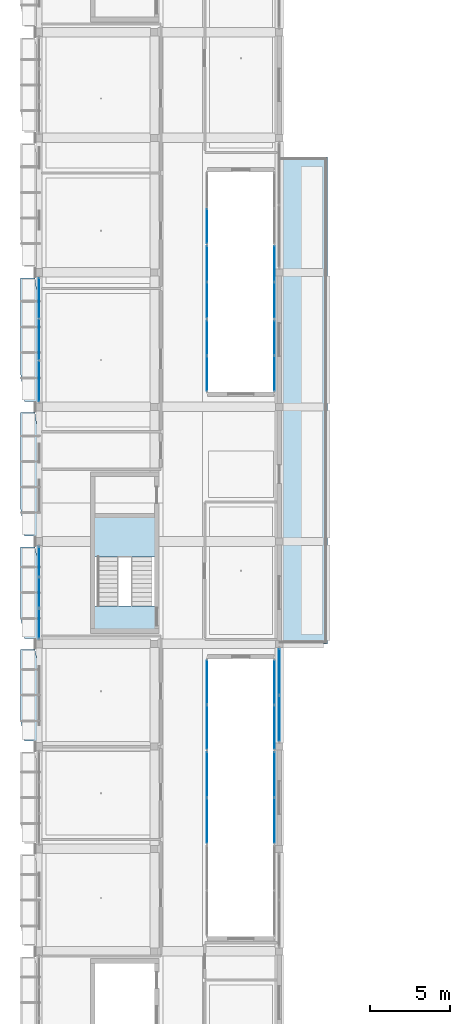
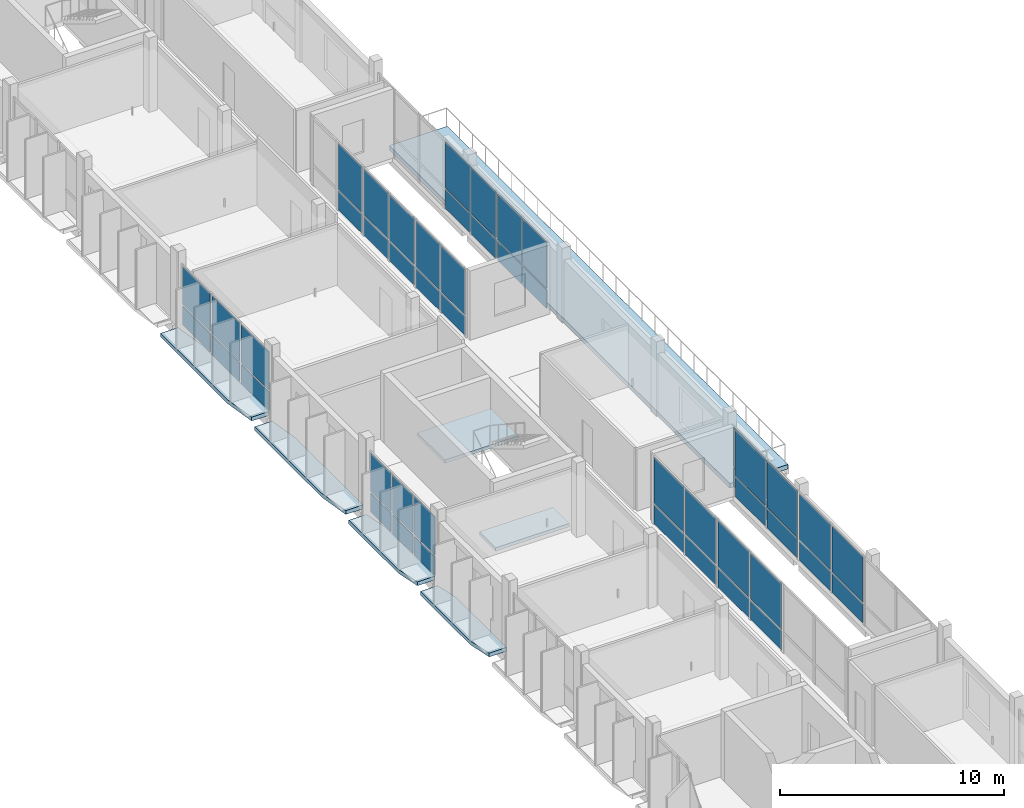
# One storey, part 17 of 48: 50 plates, 7 slabs, 13 elements without a shape of their own.
"""IFC4 building model written with IfcOpenShell, lengths in metres."""

from ifc_helpers import new_model, si_unit, derived_unit, direction, frame, origin, origin_2d, place, context, subcontext, project, spatial, polyline, rectangle, outline, extrude, material, layer, layer_set, type_object, element, aggregate, save


model = new_model("IFC4")

# Units and contexts
model_context = context("Model", 3, precision=1e-05, world=origin(), true_north=direction((0.0, 1.0)))
body_context = subcontext(model_context, "Body", "Model", "MODEL_VIEW")
ifc_project = project(units=[si_unit("LENGTHUNIT", "METRE"), si_unit("AREAUNIT", "SQUARE_METRE"), si_unit("VOLUMEUNIT", "CUBIC_METRE"), si_unit("PLANEANGLEUNIT", "RADIAN"), si_unit("MASSUNIT", "GRAM", prefix="KILO"), derived_unit("THERMALTRANSMITTANCEUNIT", [(si_unit("POWERUNIT", "WATT"), 1), (si_unit("LENGTHUNIT", "METRE"), -2), (si_unit("THERMODYNAMICTEMPERATUREUNIT", "KELVIN"), -1)])], contexts=[model_context])

# Site, building, storey
site_placement = place(None, origin())
site = spatial("IfcSite", under=ifc_project, at=site_placement, CompositionType="ELEMENT")
building_placement = place(site_placement, origin())
building = spatial("IfcBuilding", under=site, at=building_placement, Name="Braskholm Square Health Centre", CompositionType="ELEMENT")
storey_placement = place(building_placement, frame((0.0, 0.0, 17.550048828125)))
storey = spatial("IfcBuildingStorey", under=building, at=storey_placement, Name="L05", CompositionType="ELEMENT", Elevation=17.550048828125)

# Curtain wall, plates
ifc_material_1 = material(Name="Low-E triple insulating glass (VLT 0.64)", Category="glass")
curtain_wall_type_1 = type_object("IfcCurtainWallType", Name="UnitisedCurtainWall6200x3650", PredefinedType="NOTDEFINED", material=ifc_material_1)
curtain_wall_1_placement = place(storey_placement, origin())
curtain_wall_1 = element("IfcCurtainWall", 1, at=curtain_wall_1_placement, inside=storey, type_object=curtain_wall_type_1, Name="West Outer unitised curtain wall CW-L05-0033", PredefinedType="NOTDEFINED")
ifc_material_2 = material(Name="Architectural bronze anodised aluminium", Category="aluminium")
plate_type_1 = type_object("IfcPlateType", Name="CurtainPanelSpandrel1850x1020", PredefinedType="CURTAIN_PANEL", material=ifc_material_2)
plate_1_placement = place(storey_placement, frame((4.199951171875, 54.1533203125, 0.050048828125), z_axis=(0.0, 0.0, 1.0), x_axis=(0.0, -1.0, 0.0)))
plate_1 = element("IfcPlate", 2, at=plate_1_placement, type_object=plate_type_1, Name="CW-L05-0033 spandrel panel 1", PredefinedType="CURTAIN_PANEL", context=body_context, shape_type="SweptSolid", body=[
    extrude(rectangle(XDim=1.836181640625, YDim=0.035888671875, at=origin_2d()), origin(), (0.0, 0.0, 1.0), 1.02001953125),
])
plate_2_placement = place(storey_placement, frame((4.199951171875, 52.199951171875, 0.050048828125), z_axis=(0.0, 0.0, 1.0), x_axis=(0.0, -1.0, 0.0)))
plate_2 = element("IfcPlate", 3, at=plate_2_placement, type_object=plate_type_1, Name="CW-L05-0033 spandrel panel 2", PredefinedType="CURTAIN_PANEL", context=body_context, shape_type="SweptSolid", body=[
    extrude(rectangle(XDim=1.836181640625, YDim=0.035888671875, at=origin_2d()), origin(), (0.0, 0.0, 1.0), 1.02001953125),
])
plate_3_placement = place(storey_placement, frame((4.199951171875, 50.24658203125, 0.050048828125), z_axis=(0.0, 0.0, 1.0), x_axis=(0.0, -1.0, 0.0)))
plate_3 = element("IfcPlate", 4, at=plate_3_placement, type_object=plate_type_1, Name="CW-L05-0033 spandrel panel 3", PredefinedType="CURTAIN_PANEL", context=body_context, shape_type="SweptSolid", body=[
    extrude(rectangle(XDim=1.836181640625, YDim=0.035888671875, at=origin_2d()), origin(), (0.0, 0.0, 1.0), 1.02001953125),
])

curtain_wall_type_2 = type_object("IfcCurtainWallType", Name="UnitisedCurtainWall4800x3800", PredefinedType="NOTDEFINED", material=ifc_material_1)
curtain_wall_2_placement = place(storey_placement, origin())
curtain_wall_2 = element("IfcCurtainWall", 5, at=curtain_wall_2_placement, inside=storey, type_object=curtain_wall_type_2, Name="WC2 Court W unitised curtain wall CW-L05-0309", PredefinedType="NOTDEFINED")
plate_type_2 = type_object("IfcPlateType", Name="CurtainPanelSpandrel2150x1020", PredefinedType="CURTAIN_PANEL", material=ifc_material_2)
plate_4_placement = place(storey_placement, frame((14.699951171875, 65.884033203125, 0.050048828125), z_axis=(0.0, 0.0, 1.0), x_axis=(0.0, 1.0, 0.0)))
plate_4 = element("IfcPlate", 6, at=plate_4_placement, type_object=plate_type_2, Name="CW-L05-0309 spandrel panel 1", PredefinedType="CURTAIN_PANEL", context=body_context, shape_type="SweptSolid", body=[
    extrude(rectangle(XDim=2.125244140625, YDim=0.035888671875, at=origin_2d()), origin(), (0.0, 0.0, 1.0), 1.02001953125),
])
plate_5_placement = place(storey_placement, frame((14.699951171875, 68.117919921875, 0.050048828125), z_axis=(0.0, 0.0, 1.0), x_axis=(0.0, 1.0, 0.0)))
plate_5 = element("IfcPlate", 7, at=plate_5_placement, type_object=plate_type_2, Name="CW-L05-0309 spandrel panel 2", PredefinedType="CURTAIN_PANEL", context=body_context, shape_type="SweptSolid", body=[
    extrude(rectangle(XDim=2.125244140625, YDim=0.035888671875, at=origin_2d()), origin(), (0.0, 0.0, 1.0), 1.02001953125),
])

curtain_wall_3_placement = place(storey_placement, origin())
curtain_wall_3 = element("IfcCurtainWall", 8, at=curtain_wall_3_placement, inside=storey, type_object=curtain_wall_type_2, Name="WC2 Court E unitised curtain wall CW-L05-0310", PredefinedType="NOTDEFINED")
plate_6_placement = place(storey_placement, frame((18.89990234375, 68.117919921875, 0.050048828125), z_axis=(0.0, 0.0, 1.0), x_axis=(0.0, -1.0, 0.0)))
plate_6 = element("IfcPlate", 9, at=plate_6_placement, type_object=plate_type_2, Name="CW-L05-0310 spandrel panel 1", PredefinedType="CURTAIN_PANEL", context=body_context, shape_type="SweptSolid", body=[
    extrude(rectangle(XDim=2.125244140625, YDim=0.035888671875, at=origin_2d()), origin(), (0.0, 0.0, 1.0), 1.02001953125),
])
plate_7_placement = place(storey_placement, frame((18.89990234375, 65.884033203125, 0.050048828125), z_axis=(0.0, 0.0, 1.0), x_axis=(0.0, -1.0, 0.0)))
plate_7 = element("IfcPlate", 10, at=plate_7_placement, type_object=plate_type_2, Name="CW-L05-0310 spandrel panel 2", PredefinedType="CURTAIN_PANEL", context=body_context, shape_type="SweptSolid", body=[
    extrude(rectangle(XDim=2.125244140625, YDim=0.035888671875, at=origin_2d()), origin(), (0.0, 0.0, 1.0), 1.02001953125),
])

curtain_wall_4_placement = place(storey_placement, origin())
curtain_wall_4 = element("IfcCurtainWall", 11, at=curtain_wall_4_placement, inside=storey, type_object=curtain_wall_type_2, Name="WC2 Court W unitised curtain wall CW-L05-0311", PredefinedType="NOTDEFINED")
plate_8_placement = place(storey_placement, frame((14.699951171875, 70.449951171875, 0.050048828125), z_axis=(0.0, 0.0, 1.0), x_axis=(0.0, 1.0, 0.0)))
plate_8 = element("IfcPlate", 12, at=plate_8_placement, type_object=plate_type_2, Name="CW-L05-0311 spandrel panel 1", PredefinedType="CURTAIN_PANEL", context=body_context, shape_type="SweptSolid", body=[
    extrude(rectangle(XDim=2.188232421875, YDim=0.035888671875, at=origin_2d()), origin(), (0.0, 0.0, 1.0), 1.02001953125),
])
plate_9_placement = place(storey_placement, frame((14.699951171875, 72.75, 0.050048828125), z_axis=(0.0, 0.0, 1.0), x_axis=(0.0, 1.0, 0.0)))
plate_9 = element("IfcPlate", 13, at=plate_9_placement, type_object=plate_type_2, Name="CW-L05-0311 spandrel panel 2", PredefinedType="CURTAIN_PANEL", context=body_context, shape_type="SweptSolid", body=[
    extrude(rectangle(XDim=2.188232421875, YDim=0.035888671875, at=origin_2d()), origin(), (0.0, 0.0, 1.0), 1.02001953125),
])

curtain_wall_5_placement = place(storey_placement, origin())
curtain_wall_5 = element("IfcCurtainWall", 14, at=curtain_wall_5_placement, inside=storey, type_object=curtain_wall_type_2, Name="WC2 Court E unitised curtain wall CW-L05-0312", PredefinedType="NOTDEFINED")
plate_10_placement = place(storey_placement, frame((18.89990234375, 72.75, 0.050048828125), z_axis=(0.0, 0.0, 1.0), x_axis=(0.0, -1.0, 0.0)))
plate_10 = element("IfcPlate", 15, at=plate_10_placement, type_object=plate_type_2, Name="CW-L05-0312 spandrel panel 1", PredefinedType="CURTAIN_PANEL", context=body_context, shape_type="SweptSolid", body=[
    extrude(rectangle(XDim=2.188232421875, YDim=0.035888671875, at=origin_2d()), origin(), (0.0, 0.0, 1.0), 1.02001953125),
])
plate_11_placement = place(storey_placement, frame((18.89990234375, 70.449951171875, 0.050048828125), z_axis=(0.0, 0.0, 1.0), x_axis=(0.0, -1.0, 0.0)))
plate_11 = element("IfcPlate", 16, at=plate_11_placement, type_object=plate_type_2, Name="CW-L05-0312 spandrel panel 2", PredefinedType="CURTAIN_PANEL", context=body_context, shape_type="SweptSolid", body=[
    extrude(rectangle(XDim=2.188232421875, YDim=0.035888671875, at=origin_2d()), origin(), (0.0, 0.0, 1.0), 1.02001953125),
])

# Curtain wall, plate
curtain_wall_6_placement = place(storey_placement, origin())
curtain_wall_6 = element("IfcCurtainWall", 17, at=curtain_wall_6_placement, inside=storey, type_object=curtain_wall_type_2, Name="WC2 Court W unitised curtain wall CW-L05-0313", PredefinedType="NOTDEFINED")
plate_12_placement = place(storey_placement, frame((14.699951171875, 75.08203125, 0.050048828125), z_axis=(0.0, 0.0, 1.0), x_axis=(0.0, 1.0, 0.0)))
plate_12 = element("IfcPlate", 18, at=plate_12_placement, type_object=plate_type_2, Name="CW-L05-0313 spandrel panel 1", PredefinedType="CURTAIN_PANEL", context=body_context, shape_type="SweptSolid", body=[
    extrude(rectangle(XDim=2.125244140625, YDim=0.035888671875, at=origin_2d()), origin(), (0.0, 0.0, 1.0), 1.02001953125),
])

# Curtain wall, plates
curtain_wall_7_placement = place(storey_placement, origin())
curtain_wall_7 = element("IfcCurtainWall", 19, at=curtain_wall_7_placement, inside=storey, type_object=curtain_wall_type_1, Name="West Outer unitised curtain wall CW-L05-0034", PredefinedType="NOTDEFINED")
plate_type_3 = type_object("IfcPlateType", Name="CurtainPanelSpandrel2750x1020", PredefinedType="CURTAIN_PANEL", material=ifc_material_2)
plate_13_placement = place(storey_placement, frame((4.199951171875, 70.6201171875, 0.050048828125), z_axis=(0.0, 0.0, 1.0), x_axis=(0.0, -1.0, 0.0)))
plate_13 = element("IfcPlate", 20, at=plate_13_placement, type_object=plate_type_3, Name="CW-L05-0034 spandrel panel 1", PredefinedType="CURTAIN_PANEL", context=body_context, shape_type="SweptSolid", body=[
    extrude(rectangle(XDim=2.462890625, YDim=0.035888671875, at=origin_2d()), origin(), (0.0, 0.0, 1.0), 1.02001953125),
])
plate_14_placement = place(storey_placement, frame((4.199951171875, 68.0, 0.050048828125), z_axis=(0.0, 0.0, 1.0), x_axis=(0.0, -1.0, 0.0)))
plate_14 = element("IfcPlate", 21, at=plate_14_placement, type_object=plate_type_3, Name="CW-L05-0034 spandrel panel 2", PredefinedType="CURTAIN_PANEL", context=body_context, shape_type="SweptSolid", body=[
    extrude(rectangle(XDim=2.462890625, YDim=0.035888671875, at=origin_2d()), origin(), (0.0, 0.0, 1.0), 1.02001953125),
])
plate_15_placement = place(storey_placement, frame((4.199951171875, 65.3798828125, 0.050048828125), z_axis=(0.0, 0.0, 1.0), x_axis=(0.0, -1.0, 0.0)))
plate_15 = element("IfcPlate", 22, at=plate_15_placement, type_object=plate_type_3, Name="CW-L05-0034 spandrel panel 3", PredefinedType="CURTAIN_PANEL", context=body_context, shape_type="SweptSolid", body=[
    extrude(rectangle(XDim=2.462890625, YDim=0.035888671875, at=origin_2d()), origin(), (0.0, 0.0, 1.0), 1.02001953125),
])

curtain_wall_8_placement = place(storey_placement, origin())
curtain_wall_8 = element("IfcCurtainWall", 23, at=curtain_wall_8_placement, inside=storey, type_object=curtain_wall_type_1, Name="West Valley unitised curtain wall CW-L05-0105", PredefinedType="NOTDEFINED")
plate_16_placement = place(storey_placement, frame((19.199951171875, 44.337890625, 0.050048828125), z_axis=(0.0, 0.0, 1.0), x_axis=(0.0, 1.0, 0.0)))
plate_16 = element("IfcPlate", 24, at=plate_16_placement, type_object=plate_type_3, Name="CW-L05-0105 spandrel panel 1", PredefinedType="CURTAIN_PANEL", context=body_context, shape_type="SweptSolid", body=[
    extrude(rectangle(XDim=2.782470703125, YDim=0.035888671875, at=origin_2d()), origin(), (0.0, 0.0, 1.0), 1.02001953125),
])
plate_17_placement = place(storey_placement, frame((19.199951171875, 47.26220703125, 0.050048828125), z_axis=(0.0, 0.0, 1.0), x_axis=(0.0, 1.0, 0.0)))
plate_17 = element("IfcPlate", 25, at=plate_17_placement, type_object=plate_type_3, Name="CW-L05-0105 spandrel panel 2", PredefinedType="CURTAIN_PANEL", context=body_context, shape_type="SweptSolid", body=[
    extrude(rectangle(XDim=2.782470703125, YDim=0.035888671875, at=origin_2d()), origin(), (0.0, 0.0, 1.0), 1.02001953125),
])

curtain_wall_type_3 = type_object("IfcCurtainWallType", Name="UnitisedCurtainWall6200x3800", PredefinedType="NOTDEFINED", material=ifc_material_1)
curtain_wall_9_placement = place(storey_placement, origin())
curtain_wall_9 = element("IfcCurtainWall", 26, at=curtain_wall_9_placement, inside=storey, type_object=curtain_wall_type_3, Name="WC1 Court W unitised curtain wall CW-L05-0275", PredefinedType="NOTDEFINED")
plate_18_placement = place(storey_placement, frame((14.699951171875, 37.95361328125, 0.050048828125), z_axis=(0.0, 0.0, 1.0), x_axis=(0.0, 1.0, 0.0)))
plate_18 = element("IfcPlate", 27, at=plate_18_placement, type_object=plate_type_3, Name="CW-L05-0275 spandrel panel 1", PredefinedType="CURTAIN_PANEL", context=body_context, shape_type="SweptSolid", body=[
    extrude(rectangle(XDim=2.752197265625, YDim=0.035888671875, at=origin_2d()), origin(), (0.0, 0.0, 1.0), 1.02001953125),
])
plate_19_placement = place(storey_placement, frame((14.699951171875, 40.846435546875, 0.050048828125), z_axis=(0.0, 0.0, 1.0), x_axis=(0.0, 1.0, 0.0)))
plate_19 = element("IfcPlate", 28, at=plate_19_placement, type_object=plate_type_3, Name="CW-L05-0275 spandrel panel 2", PredefinedType="CURTAIN_PANEL", context=body_context, shape_type="SweptSolid", body=[
    extrude(rectangle(XDim=2.752197265625, YDim=0.035888671875, at=origin_2d()), origin(), (0.0, 0.0, 1.0), 1.02001953125),
])

curtain_wall_10_placement = place(storey_placement, origin())
curtain_wall_10 = element("IfcCurtainWall", 29, at=curtain_wall_10_placement, inside=storey, type_object=curtain_wall_type_3, Name="WC1 Court E unitised curtain wall CW-L05-0276", PredefinedType="NOTDEFINED")
plate_20_placement = place(storey_placement, frame((18.89990234375, 40.846435546875, 0.050048828125), z_axis=(0.0, 0.0, 1.0), x_axis=(0.0, -1.0, 0.0)))
plate_20 = element("IfcPlate", 30, at=plate_20_placement, type_object=plate_type_3, Name="CW-L05-0276 spandrel panel 1", PredefinedType="CURTAIN_PANEL", context=body_context, shape_type="SweptSolid", body=[
    extrude(rectangle(XDim=2.752197265625, YDim=0.035888671875, at=origin_2d()), origin(), (0.0, 0.0, 1.0), 1.02001953125),
])
plate_21_placement = place(storey_placement, frame((18.89990234375, 37.95361328125, 0.050048828125), z_axis=(0.0, 0.0, 1.0), x_axis=(0.0, -1.0, 0.0)))
plate_21 = element("IfcPlate", 31, at=plate_21_placement, type_object=plate_type_3, Name="CW-L05-0276 spandrel panel 2", PredefinedType="CURTAIN_PANEL", context=body_context, shape_type="SweptSolid", body=[
    extrude(rectangle(XDim=2.752197265625, YDim=0.035888671875, at=origin_2d()), origin(), (0.0, 0.0, 1.0), 1.02001953125),
])

curtain_wall_type_4 = type_object("IfcCurtainWallType", Name="UnitisedCurtainWall5400x3800", PredefinedType="NOTDEFINED", material=ifc_material_1)
curtain_wall_11_placement = place(storey_placement, origin())
curtain_wall_11 = element("IfcCurtainWall", 32, at=curtain_wall_11_placement, inside=storey, type_object=curtain_wall_type_4, Name="WC1 Court W unitised curtain wall CW-L05-0277", PredefinedType="NOTDEFINED")
plate_22_placement = place(storey_placement, frame((14.699951171875, 43.78564453125, 0.050048828125), z_axis=(0.0, 0.0, 1.0), x_axis=(0.0, 1.0, 0.0)))
plate_22 = element("IfcPlate", 33, at=plate_22_placement, type_object=plate_type_3, Name="CW-L05-0277 spandrel panel 1", PredefinedType="CURTAIN_PANEL", context=body_context, shape_type="SweptSolid", body=[
    extrude(rectangle(XDim=2.689208984375, YDim=0.035888671875, at=origin_2d()), origin(), (0.0, 0.0, 1.0), 1.02001953125),
])
plate_23_placement = place(storey_placement, frame((14.699951171875, 46.6123046875, 0.050048828125), z_axis=(0.0, 0.0, 1.0), x_axis=(0.0, 1.0, 0.0)))
plate_23 = element("IfcPlate", 34, at=plate_23_placement, type_object=plate_type_3, Name="CW-L05-0277 spandrel panel 2", PredefinedType="CURTAIN_PANEL", context=body_context, shape_type="SweptSolid", body=[
    extrude(rectangle(XDim=2.689208984375, YDim=0.035888671875, at=origin_2d()), origin(), (0.0, 0.0, 1.0), 1.02001953125),
])

curtain_wall_12_placement = place(storey_placement, origin())
curtain_wall_12 = element("IfcCurtainWall", 35, at=curtain_wall_12_placement, inside=storey, type_object=curtain_wall_type_4, Name="WC1 Court E unitised curtain wall CW-L05-0278", PredefinedType="NOTDEFINED")
plate_24_placement = place(storey_placement, frame((18.89990234375, 46.6123046875, 0.050048828125), z_axis=(0.0, 0.0, 1.0), x_axis=(0.0, -1.0, 0.0)))
plate_24 = element("IfcPlate", 36, at=plate_24_placement, type_object=plate_type_3, Name="CW-L05-0278 spandrel panel 1", PredefinedType="CURTAIN_PANEL", context=body_context, shape_type="SweptSolid", body=[
    extrude(rectangle(XDim=2.689208984375, YDim=0.035888671875, at=origin_2d()), origin(), (0.0, 0.0, 1.0), 1.02001953125),
])
plate_25_placement = place(storey_placement, frame((18.89990234375, 43.78564453125, 0.050048828125), z_axis=(0.0, 0.0, 1.0), x_axis=(0.0, -1.0, 0.0)))
plate_25 = element("IfcPlate", 37, at=plate_25_placement, type_object=plate_type_3, Name="CW-L05-0278 spandrel panel 2", PredefinedType="CURTAIN_PANEL", context=body_context, shape_type="SweptSolid", body=[
    extrude(rectangle(XDim=2.689208984375, YDim=0.035888671875, at=origin_2d()), origin(), (0.0, 0.0, 1.0), 1.02001953125),
])

# Plate
plate_type_4 = type_object("IfcPlateType", Name="CurtainPanelVision1850x2120", PredefinedType="CURTAIN_PANEL", material=ifc_material_1)
plate_26_placement = place(storey_placement, frame((4.199951171875, 54.1533203125, 1.169921875), z_axis=(0.0, 0.0, 1.0), x_axis=(0.0, -1.0, 0.0)))
plate_26 = element("IfcPlate", 38, at=plate_26_placement, type_object=plate_type_4, Name="CW-L05-0033 vision glass panel 1", PredefinedType="CURTAIN_PANEL", context=body_context, shape_type="SweptSolid", body=[
    extrude(rectangle(XDim=1.836181640625, YDim=0.035888671875, at=origin_2d()), origin(), (0.0, 0.0, 1.0), 2.070068359375),
])

plate_27_placement = place(storey_placement, frame((4.199951171875, 52.199951171875, 1.169921875), z_axis=(0.0, 0.0, 1.0), x_axis=(0.0, -1.0, 0.0)))
plate_27 = element("IfcPlate", 39, at=plate_27_placement, type_object=plate_type_4, Name="CW-L05-0033 vision glass panel 2", PredefinedType="CURTAIN_PANEL", context=body_context, shape_type="SweptSolid", body=[
    extrude(rectangle(XDim=1.836181640625, YDim=0.035888671875, at=origin_2d()), origin(), (0.0, 0.0, 1.0), 2.070068359375),
])

plate_28_placement = place(storey_placement, frame((4.199951171875, 50.24658203125, 1.169921875), z_axis=(0.0, 0.0, 1.0), x_axis=(0.0, -1.0, 0.0)))
plate_28 = element("IfcPlate", 40, at=plate_28_placement, type_object=plate_type_4, Name="CW-L05-0033 vision glass panel 3", PredefinedType="CURTAIN_PANEL", context=body_context, shape_type="SweptSolid", body=[
    extrude(rectangle(XDim=1.836181640625, YDim=0.035888671875, at=origin_2d()), origin(), (0.0, 0.0, 1.0), 2.070068359375),
])

aggregate(curtain_wall_1, [plate_1, plate_26, plate_2, plate_27, plate_3, plate_28])

plate_type_5 = type_object("IfcPlateType", Name="CurtainPanelVision2150x2520", PredefinedType="CURTAIN_PANEL", material=ifc_material_1)
plate_29_placement = place(storey_placement, frame((14.699951171875, 65.884033203125, 1.169921875), z_axis=(0.0, 0.0, 1.0), x_axis=(0.0, 1.0, 0.0)))
plate_29 = element("IfcPlate", 41, at=plate_29_placement, type_object=plate_type_5, Name="CW-L05-0309 vision glass panel 1", PredefinedType="CURTAIN_PANEL", context=body_context, shape_type="SweptSolid", body=[
    extrude(rectangle(XDim=2.125244140625, YDim=0.035888671875, at=origin_2d()), origin(), (0.0, 0.0, 1.0), 2.489990234375),
])

plate_30_placement = place(storey_placement, frame((14.699951171875, 68.117919921875, 1.169921875), z_axis=(0.0, 0.0, 1.0), x_axis=(0.0, 1.0, 0.0)))
plate_30 = element("IfcPlate", 42, at=plate_30_placement, type_object=plate_type_5, Name="CW-L05-0309 vision glass panel 2", PredefinedType="CURTAIN_PANEL", context=body_context, shape_type="SweptSolid", body=[
    extrude(rectangle(XDim=2.125244140625, YDim=0.035888671875, at=origin_2d()), origin(), (0.0, 0.0, 1.0), 2.489990234375),
])

aggregate(curtain_wall_2, [plate_4, plate_29, plate_5, plate_30])

plate_31_placement = place(storey_placement, frame((18.89990234375, 68.117919921875, 1.169921875), z_axis=(0.0, 0.0, 1.0), x_axis=(0.0, -1.0, 0.0)))
plate_31 = element("IfcPlate", 43, at=plate_31_placement, type_object=plate_type_5, Name="CW-L05-0310 vision glass panel 1", PredefinedType="CURTAIN_PANEL", context=body_context, shape_type="SweptSolid", body=[
    extrude(rectangle(XDim=2.125244140625, YDim=0.035888671875, at=origin_2d()), origin(), (0.0, 0.0, 1.0), 2.489990234375),
])

plate_32_placement = place(storey_placement, frame((18.89990234375, 65.884033203125, 1.169921875), z_axis=(0.0, 0.0, 1.0), x_axis=(0.0, -1.0, 0.0)))
plate_32 = element("IfcPlate", 44, at=plate_32_placement, type_object=plate_type_5, Name="CW-L05-0310 vision glass panel 2", PredefinedType="CURTAIN_PANEL", context=body_context, shape_type="SweptSolid", body=[
    extrude(rectangle(XDim=2.125244140625, YDim=0.035888671875, at=origin_2d()), origin(), (0.0, 0.0, 1.0), 2.489990234375),
])

aggregate(curtain_wall_3, [plate_6, plate_31, plate_7, plate_32])

plate_33_placement = place(storey_placement, frame((14.699951171875, 70.449951171875, 1.169921875), z_axis=(0.0, 0.0, 1.0), x_axis=(0.0, 1.0, 0.0)))
plate_33 = element("IfcPlate", 45, at=plate_33_placement, type_object=plate_type_5, Name="CW-L05-0311 vision glass panel 1", PredefinedType="CURTAIN_PANEL", context=body_context, shape_type="SweptSolid", body=[
    extrude(rectangle(XDim=2.188232421875, YDim=0.035888671875, at=origin_2d()), origin(), (0.0, 0.0, 1.0), 2.489990234375),
])

plate_34_placement = place(storey_placement, frame((14.699951171875, 72.75, 1.169921875), z_axis=(0.0, 0.0, 1.0), x_axis=(0.0, 1.0, 0.0)))
plate_34 = element("IfcPlate", 46, at=plate_34_placement, type_object=plate_type_5, Name="CW-L05-0311 vision glass panel 2", PredefinedType="CURTAIN_PANEL", context=body_context, shape_type="SweptSolid", body=[
    extrude(rectangle(XDim=2.188232421875, YDim=0.035888671875, at=origin_2d()), origin(), (0.0, 0.0, 1.0), 2.489990234375),
])

aggregate(curtain_wall_4, [plate_8, plate_33, plate_9, plate_34])

plate_35_placement = place(storey_placement, frame((18.89990234375, 72.75, 1.169921875), z_axis=(0.0, 0.0, 1.0), x_axis=(0.0, -1.0, 0.0)))
plate_35 = element("IfcPlate", 47, at=plate_35_placement, type_object=plate_type_5, Name="CW-L05-0312 vision glass panel 1", PredefinedType="CURTAIN_PANEL", context=body_context, shape_type="SweptSolid", body=[
    extrude(rectangle(XDim=2.188232421875, YDim=0.035888671875, at=origin_2d()), origin(), (0.0, 0.0, 1.0), 2.489990234375),
])

plate_36_placement = place(storey_placement, frame((18.89990234375, 70.449951171875, 1.169921875), z_axis=(0.0, 0.0, 1.0), x_axis=(0.0, -1.0, 0.0)))
plate_36 = element("IfcPlate", 48, at=plate_36_placement, type_object=plate_type_5, Name="CW-L05-0312 vision glass panel 2", PredefinedType="CURTAIN_PANEL", context=body_context, shape_type="SweptSolid", body=[
    extrude(rectangle(XDim=2.188232421875, YDim=0.035888671875, at=origin_2d()), origin(), (0.0, 0.0, 1.0), 2.489990234375),
])

aggregate(curtain_wall_5, [plate_10, plate_35, plate_11, plate_36])

plate_37_placement = place(storey_placement, frame((14.699951171875, 75.08203125, 1.169921875), z_axis=(0.0, 0.0, 1.0), x_axis=(0.0, 1.0, 0.0)))
plate_37 = element("IfcPlate", 49, at=plate_37_placement, type_object=plate_type_5, Name="CW-L05-0313 vision glass panel 1", PredefinedType="CURTAIN_PANEL", context=body_context, shape_type="SweptSolid", body=[
    extrude(rectangle(XDim=2.125244140625, YDim=0.035888671875, at=origin_2d()), origin(), (0.0, 0.0, 1.0), 2.489990234375),
])

aggregate(curtain_wall_6, [plate_12, plate_37])

plate_type_6 = type_object("IfcPlateType", Name="CurtainPanelVision2750x2120", PredefinedType="CURTAIN_PANEL", material=ifc_material_1)
plate_38_placement = place(storey_placement, frame((4.199951171875, 70.6201171875, 1.169921875), z_axis=(0.0, 0.0, 1.0), x_axis=(0.0, -1.0, 0.0)))
plate_38 = element("IfcPlate", 50, at=plate_38_placement, type_object=plate_type_6, Name="CW-L05-0034 vision glass panel 1", PredefinedType="CURTAIN_PANEL", context=body_context, shape_type="SweptSolid", body=[
    extrude(rectangle(XDim=2.462890625, YDim=0.035888671875, at=origin_2d()), origin(), (0.0, 0.0, 1.0), 2.070068359375),
])

plate_39_placement = place(storey_placement, frame((4.199951171875, 68.0, 1.169921875), z_axis=(0.0, 0.0, 1.0), x_axis=(0.0, -1.0, 0.0)))
plate_39 = element("IfcPlate", 51, at=plate_39_placement, type_object=plate_type_6, Name="CW-L05-0034 vision glass panel 2", PredefinedType="CURTAIN_PANEL", context=body_context, shape_type="SweptSolid", body=[
    extrude(rectangle(XDim=2.462890625, YDim=0.035888671875, at=origin_2d()), origin(), (0.0, 0.0, 1.0), 2.070068359375),
])

plate_40_placement = place(storey_placement, frame((4.199951171875, 65.3798828125, 1.169921875), z_axis=(0.0, 0.0, 1.0), x_axis=(0.0, -1.0, 0.0)))
plate_40 = element("IfcPlate", 52, at=plate_40_placement, type_object=plate_type_6, Name="CW-L05-0034 vision glass panel 3", PredefinedType="CURTAIN_PANEL", context=body_context, shape_type="SweptSolid", body=[
    extrude(rectangle(XDim=2.462890625, YDim=0.035888671875, at=origin_2d()), origin(), (0.0, 0.0, 1.0), 2.070068359375),
])

aggregate(curtain_wall_7, [plate_13, plate_38, plate_14, plate_39, plate_15, plate_40])

plate_41_placement = place(storey_placement, frame((19.199951171875, 44.337890625, 1.169921875), z_axis=(0.0, 0.0, 1.0), x_axis=(0.0, 1.0, 0.0)))
plate_41 = element("IfcPlate", 53, at=plate_41_placement, type_object=plate_type_6, Name="CW-L05-0105 vision glass panel 1", PredefinedType="CURTAIN_PANEL", context=body_context, shape_type="SweptSolid", body=[
    extrude(rectangle(XDim=2.782470703125, YDim=0.035888671875, at=origin_2d()), origin(), (0.0, 0.0, 1.0), 2.110107421875),
])

plate_42_placement = place(storey_placement, frame((19.199951171875, 47.26220703125, 1.169921875), z_axis=(0.0, 0.0, 1.0), x_axis=(0.0, 1.0, 0.0)))
plate_42 = element("IfcPlate", 54, at=plate_42_placement, type_object=plate_type_6, Name="CW-L05-0105 vision glass panel 2", PredefinedType="CURTAIN_PANEL", context=body_context, shape_type="SweptSolid", body=[
    extrude(rectangle(XDim=2.782470703125, YDim=0.035888671875, at=origin_2d()), origin(), (0.0, 0.0, 1.0), 2.110107421875),
])

aggregate(curtain_wall_8, [plate_16, plate_41, plate_17, plate_42])

plate_type_7 = type_object("IfcPlateType", Name="CurtainPanelVision2750x2520", PredefinedType="CURTAIN_PANEL", material=ifc_material_1)
plate_43_placement = place(storey_placement, frame((14.699951171875, 37.95361328125, 1.169921875), z_axis=(0.0, 0.0, 1.0), x_axis=(0.0, 1.0, 0.0)))
plate_43 = element("IfcPlate", 55, at=plate_43_placement, type_object=plate_type_7, Name="CW-L05-0275 vision glass panel 1", PredefinedType="CURTAIN_PANEL", context=body_context, shape_type="SweptSolid", body=[
    extrude(rectangle(XDim=2.752197265625, YDim=0.035888671875, at=origin_2d()), origin(), (0.0, 0.0, 1.0), 2.489990234375),
])

plate_44_placement = place(storey_placement, frame((14.699951171875, 40.846435546875, 1.169921875), z_axis=(0.0, 0.0, 1.0), x_axis=(0.0, 1.0, 0.0)))
plate_44 = element("IfcPlate", 56, at=plate_44_placement, type_object=plate_type_7, Name="CW-L05-0275 vision glass panel 2", PredefinedType="CURTAIN_PANEL", context=body_context, shape_type="SweptSolid", body=[
    extrude(rectangle(XDim=2.752197265625, YDim=0.035888671875, at=origin_2d()), origin(), (0.0, 0.0, 1.0), 2.489990234375),
])

aggregate(curtain_wall_9, [plate_18, plate_43, plate_19, plate_44])

plate_45_placement = place(storey_placement, frame((18.89990234375, 40.846435546875, 1.169921875), z_axis=(0.0, 0.0, 1.0), x_axis=(0.0, -1.0, 0.0)))
plate_45 = element("IfcPlate", 57, at=plate_45_placement, type_object=plate_type_7, Name="CW-L05-0276 vision glass panel 1", PredefinedType="CURTAIN_PANEL", context=body_context, shape_type="SweptSolid", body=[
    extrude(rectangle(XDim=2.752197265625, YDim=0.035888671875, at=origin_2d()), origin(), (0.0, 0.0, 1.0), 2.489990234375),
])

plate_46_placement = place(storey_placement, frame((18.89990234375, 37.95361328125, 1.169921875), z_axis=(0.0, 0.0, 1.0), x_axis=(0.0, -1.0, 0.0)))
plate_46 = element("IfcPlate", 58, at=plate_46_placement, type_object=plate_type_7, Name="CW-L05-0276 vision glass panel 2", PredefinedType="CURTAIN_PANEL", context=body_context, shape_type="SweptSolid", body=[
    extrude(rectangle(XDim=2.752197265625, YDim=0.035888671875, at=origin_2d()), origin(), (0.0, 0.0, 1.0), 2.489990234375),
])

aggregate(curtain_wall_10, [plate_20, plate_45, plate_21, plate_46])

plate_47_placement = place(storey_placement, frame((14.699951171875, 43.78564453125, 1.169921875), z_axis=(0.0, 0.0, 1.0), x_axis=(0.0, 1.0, 0.0)))
plate_47 = element("IfcPlate", 59, at=plate_47_placement, type_object=plate_type_7, Name="CW-L05-0277 vision glass panel 1", PredefinedType="CURTAIN_PANEL", context=body_context, shape_type="SweptSolid", body=[
    extrude(rectangle(XDim=2.689208984375, YDim=0.035888671875, at=origin_2d()), origin(), (0.0, 0.0, 1.0), 2.489990234375),
])

plate_48_placement = place(storey_placement, frame((14.699951171875, 46.6123046875, 1.169921875), z_axis=(0.0, 0.0, 1.0), x_axis=(0.0, 1.0, 0.0)))
plate_48 = element("IfcPlate", 60, at=plate_48_placement, type_object=plate_type_7, Name="CW-L05-0277 vision glass panel 2", PredefinedType="CURTAIN_PANEL", context=body_context, shape_type="SweptSolid", body=[
    extrude(rectangle(XDim=2.689208984375, YDim=0.035888671875, at=origin_2d()), origin(), (0.0, 0.0, 1.0), 2.489990234375),
])

aggregate(curtain_wall_11, [plate_22, plate_47, plate_23, plate_48])

plate_49_placement = place(storey_placement, frame((18.89990234375, 46.6123046875, 1.169921875), z_axis=(0.0, 0.0, 1.0), x_axis=(0.0, -1.0, 0.0)))
plate_49 = element("IfcPlate", 61, at=plate_49_placement, type_object=plate_type_7, Name="CW-L05-0278 vision glass panel 1", PredefinedType="CURTAIN_PANEL", context=body_context, shape_type="SweptSolid", body=[
    extrude(rectangle(XDim=2.689208984375, YDim=0.035888671875, at=origin_2d()), origin(), (0.0, 0.0, 1.0), 2.489990234375),
])

plate_50_placement = place(storey_placement, frame((18.89990234375, 43.78564453125, 1.169921875), z_axis=(0.0, 0.0, 1.0), x_axis=(0.0, -1.0, 0.0)))
plate_50 = element("IfcPlate", 62, at=plate_50_placement, type_object=plate_type_7, Name="CW-L05-0278 vision glass panel 2", PredefinedType="CURTAIN_PANEL", context=body_context, shape_type="SweptSolid", body=[
    extrude(rectangle(XDim=2.689208984375, YDim=0.035888671875, at=origin_2d()), origin(), (0.0, 0.0, 1.0), 2.489990234375),
])

aggregate(curtain_wall_12, [plate_24, plate_49, plate_25, plate_50])

# Slabs
ifc_material_3 = material(Name="Precast concrete C40/50 architectural white", Category="concrete")
ifc_layer_1 = layer(ifc_material_3, 0.2099609375)
ifc_layer_set_1 = layer_set([ifc_layer_1], Name="Precast concrete C40/50 architectural white")
slab_type_1 = type_object("IfcSlabType", Name="PitchedAndCrownRoofSlab150", PredefinedType="ROOF", material=ifc_layer_set_1)
slab_1_placement = place(storey_placement, frame((0.0, 0.0, -0.2099609375)))
element("IfcSlab", 63, at=slab_1_placement, inside=storey, type_object=slab_type_1, Name="Level L05 West precast planter ledge 055", PredefinedType="ROOF", context=body_context, shape_type="SweptSolid", body=[
    extrude(outline(polyline([(3.302978515625, 42.949951171875), (4.199951171875, 42.949951171875), (4.199951171875, 47.39599609375), (3.947021484375, 48.64990234375), (3.050048828125, 48.64990234375), (3.050048828125, 44.2041015625), (3.302978515625, 42.949951171875)])), origin(), (0.0, 0.0, 1.0), 0.2099609375),
])
slab_2_placement = place(storey_placement, frame((0.0, 0.0, -0.2099609375)))
element("IfcSlab", 64, at=slab_2_placement, inside=storey, type_object=slab_type_1, Name="Level L05 West precast planter ledge 056", PredefinedType="ROOF", context=body_context, shape_type="SweptSolid", body=[
    extrude(outline(polyline([(3.302978515625, 49.35009765625), (4.199951171875, 49.35009765625), (4.199951171875, 53.7958984375), (3.947021484375, 55.050048828125), (3.050048828125, 55.050048828125), (3.050048828125, 50.60400390625), (3.302978515625, 49.35009765625)])), origin(), (0.0, 0.0, 1.0), 0.2099609375),
])
slab_3_placement = place(storey_placement, frame((0.0, 0.0, -0.2099609375)))
element("IfcSlab", 65, at=slab_3_placement, inside=storey, type_object=slab_type_1, Name="Level L05 West precast planter ledge 057", PredefinedType="ROOF", context=body_context, shape_type="SweptSolid", body=[
    extrude(outline(polyline([(3.302978515625, 55.75), (4.199951171875, 55.75), (4.199951171875, 61.756103515625), (3.947021484375, 63.449951171875), (3.050048828125, 63.449951171875), (3.050048828125, 57.444091796875), (3.302978515625, 55.75)])), origin(), (0.0, 0.0, 1.0), 0.2099609375),
])
slab_4_placement = place(storey_placement, frame((0.0, 0.0, -0.2099609375)))
element("IfcSlab", 66, at=slab_4_placement, inside=storey, type_object=slab_type_1, Name="Level L05 West precast planter ledge 058", PredefinedType="ROOF", context=body_context, shape_type="SweptSolid", body=[
    extrude(outline(polyline([(3.302978515625, 64.14990234375), (4.199951171875, 64.14990234375), (4.199951171875, 70.156005859375), (3.947021484375, 71.85009765625), (3.050048828125, 71.85009765625), (3.050048828125, 65.843994140625), (3.302978515625, 64.14990234375)])), origin(), (0.0, 0.0, 1.0), 0.2099609375),
])
ifc_material_4 = material(Name="Concrete C35/45 (f'c = 35 MPa)", Category="concrete")
ifc_layer_2 = layer(ifc_material_4, 0.25)
ifc_layer_set_2 = layer_set([ifc_layer_2], Name="Concrete C35/45 (f'c = 35 MPa)")
slab_type_2 = type_object("IfcSlabType", Name="PlantedTerraceRoofSlab250", PredefinedType="ROOF", material=ifc_layer_set_2)
slab_5_placement = place(storey_placement, frame((0.0, 0.0, -0.25)))
element("IfcSlab", 67, at=slab_5_placement, inside=storey, type_object=slab_type_2, Name="Level L05 West Green Valley Step 3 planted therapy terrace slab", PredefinedType="ROOF", context=body_context, shape_type="SweptSolid", body=[
    extrude(outline(polyline([(19.199951171875, 49.0), (22.199951171875, 49.0), (22.199951171875, 79.39990234375), (19.199951171875, 79.39990234375), (19.199951171875, 49.0)])), origin(), (0.0, 0.0, 1.0), 0.25),
])

# Stair, slabs
stair_type = type_object("IfcStairType", Name="ExitReturnStairL04", PredefinedType="HALF_TURN_STAIR", material=ifc_material_4)
stair_placement = place(storey_placement, origin())
stair = element("IfcStair", 68, at=stair_placement, inside=storey, type_object=stair_type, Name="Enclosed exit stair ST-02 L05 to L06", PredefinedType="HALF_TURN_STAIR")
ifc_layer_3 = layer(ifc_material_4, 0.179931640625)
ifc_layer_set_3 = layer_set([ifc_layer_3], Name="Concrete C35/45 (f'c = 35 MPa)")
slab_type_3 = type_object("IfcSlabType", Name="StairLandingSlab180", PredefinedType="LANDING", material=ifc_layer_set_3)
slab_6_placement = place(storey_placement, frame((0.0, 0.0, 1.844970703125)))
slab_6 = element("IfcSlab", 69, at=slab_6_placement, type_object=slab_type_3, Name="Stair ST-02 half-landing L05", PredefinedType="LANDING", context=body_context, shape_type="SweptSolid", body=[
    extrude(outline(polyline([(7.64990234375, 54.43994140625), (11.449951171875, 54.43994140625), (11.449951171875, 56.89990234375), (7.64990234375, 56.89990234375), (7.64990234375, 54.43994140625)])), origin(), (0.0, 0.0, 1.0), 0.179931640625),
])
slab_7_placement = place(storey_placement, frame((0.0, 0.0, -0.179931640625)))
slab_7 = element("IfcSlab", 70, at=slab_7_placement, type_object=slab_type_3, Name="Stair ST-02 floor landing L05", PredefinedType="LANDING", context=body_context, shape_type="SweptSolid", body=[
    extrude(outline(polyline([(7.64990234375, 49.89990234375), (11.449951171875, 49.89990234375), (11.449951171875, 51.360107421875), (7.64990234375, 51.360107421875), (7.64990234375, 49.89990234375)])), origin(), (0.0, 0.0, 1.0), 0.179931640625),
])
aggregate(stair, [slab_6, slab_7])

save(model, "model.ifc")
